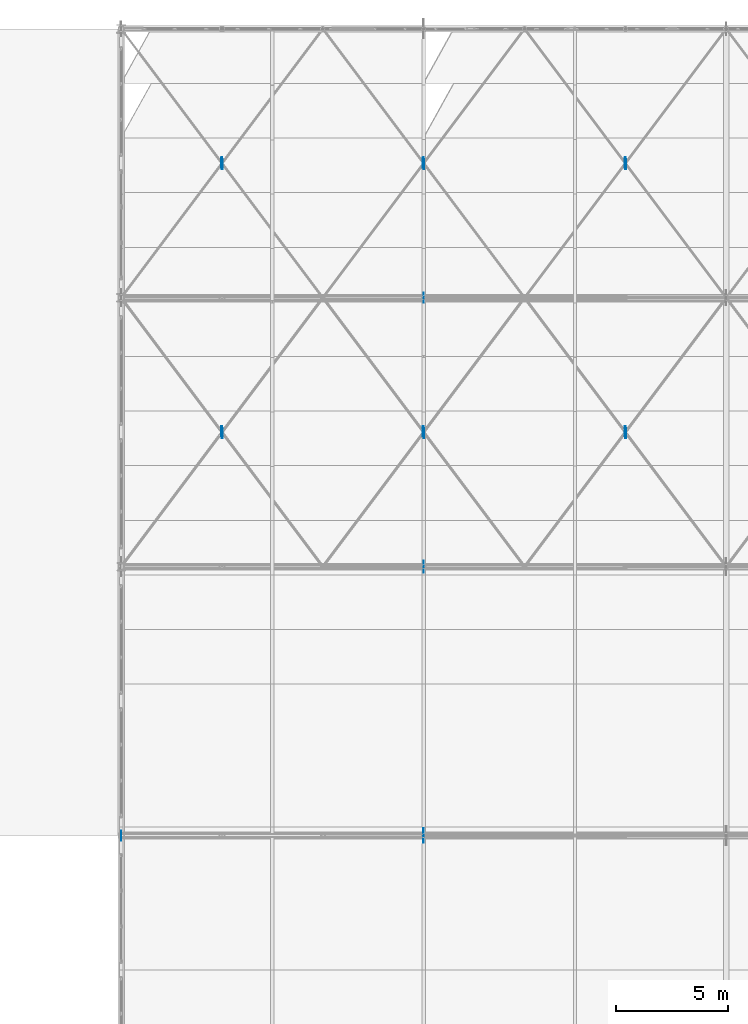
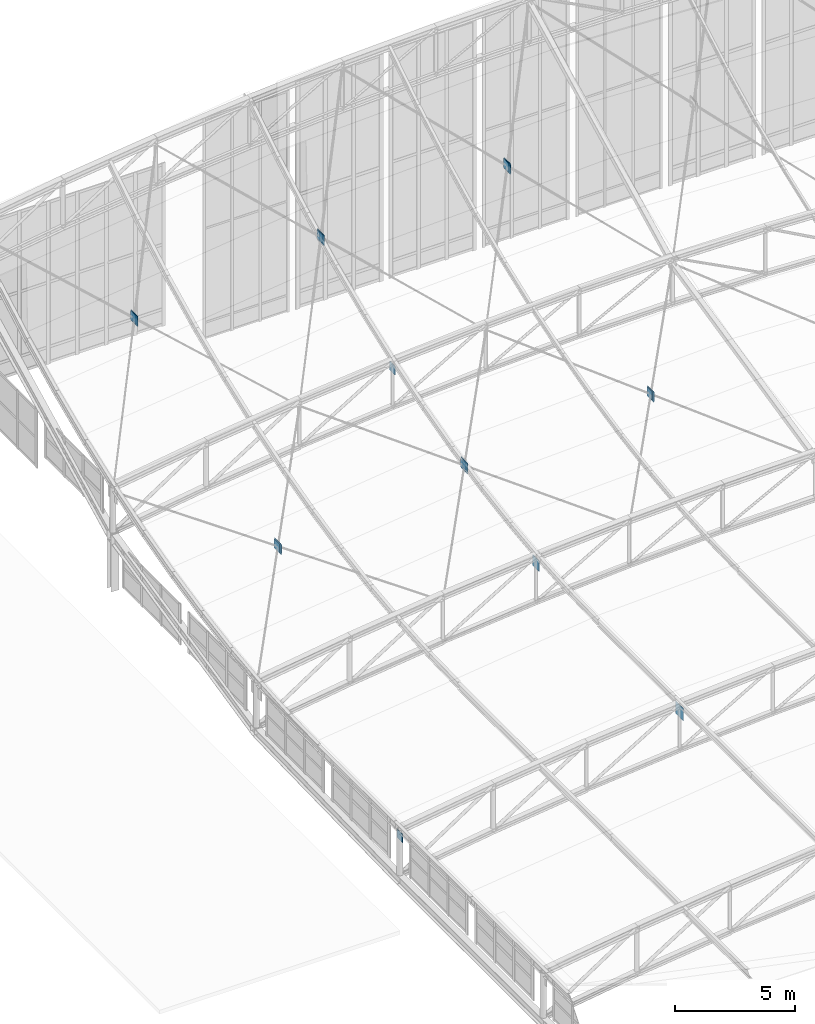
# One storey, part 247 of 262: 22 plates.
"""IFC4 building model written with IfcOpenShell, lengths in metres."""

from ifc_helpers import new_model, si_unit, derived_unit, direction, frame, origin, origin_2d, place, context, subcontext, project, spatial, rectangle, extrude, material, layer, layer_set, type_object, element, save


model = new_model("IFC4")

# Units and contexts
model_context = context("Model", 3, precision=1e-05, world=origin(), true_north=direction((0.0, 1.0)))
body_context = subcontext(model_context, "Body", "Model", "MODEL_VIEW")
ifc_project = project(units=[si_unit("LENGTHUNIT", "METRE"), si_unit("AREAUNIT", "SQUARE_METRE"), si_unit("VOLUMEUNIT", "CUBIC_METRE"), si_unit("PLANEANGLEUNIT", "RADIAN"), si_unit("MASSUNIT", "GRAM", prefix="KILO"), derived_unit("THERMALTRANSMITTANCEUNIT", [(si_unit("POWERUNIT", "WATT"), 1), (si_unit("LENGTHUNIT", "METRE"), -2), (si_unit("THERMODYNAMICTEMPERATUREUNIT", "KELVIN"), -1)])], contexts=[model_context])

# Site, building, storey
site_placement = place(None, origin())
site = spatial("IfcSite", under=ifc_project, at=site_placement, CompositionType="ELEMENT")
building_placement = place(site_placement, origin())
building = spatial("IfcBuilding", under=site, at=building_placement, Name="Almenara Railside Exhibition Hall", CompositionType="ELEMENT")
storey_placement = place(building_placement, frame((0.0, 0.0, 21.699951171875)))
storey = spatial("IfcBuildingStorey", under=building, at=storey_placement, Name="RF", CompositionType="ELEMENT", Elevation=21.699951171875)

# Plates
ifc_material = material(Name="Structural steel S355JR", Category="steel")
ifc_layer_1 = layer(ifc_material, 0.011962890625, Name="Structural steel S355JR")
ifc_layer_set_1 = layer_set([ifc_layer_1], Name="Structural steel S355JR")
plate_type_1 = type_object("IfcPlateType", Name="Truss Node Gusset Plate 12mm S355JR", PredefinedType="USERDEFINED", material=ifc_layer_set_1)
for number, where, z_axis, x_axis, name in (
    (1, (12.0, 96.0, -0.6748046875), (0.0, 0.0, 1.0), (0.0, 1.0, 0.0), "PLT-GUS-0021"),
    (2, (25.5, 120.0, 3.916015625), (0.0, 0.0, 1.0), (0.0, 1.0, 0.0), "PLT-GUS-0032"),
    (3, (16.5302734375, 113.95947265625, 1.6044921875), (0.0, 0.0, 1.0), (0.0, 1.0, 0.0), "PLT-GUS-0078"),
    (4, (16.4697265625, 114.04052734375, 1.6142578125), (0.0, 0.0, 1.0), (0.0, 1.0, 0.0), "PLT-GUS-0079"),
    (5, (25.5302734375, 113.959716796875, 2.58056640625), (0.0, 0.0, 1.0), (0.0, 1.0, 0.0), "PLT-GUS-0081"),
    (6, (25.4697265625, 114.040283203125, 2.59326171875), (0.0, 0.0, 1.0), (0.0, 1.0, 0.0), "PLT-GUS-0082"),
    (7, (34.530029296875, 113.9599609375, 3.06787109375), (0.0, 0.0, 1.0), (0.0, 1.0, 0.0), "PLT-GUS-0084"),
    (8, (34.469970703125, 114.0400390625, 3.083984375), (0.0, 0.0, 1.0), (0.0, 1.0, 0.0), "PLT-GUS-0085"),
    (9, (16.525390625, 125.96630859375, 5.96337890625), (0.0, 0.0, 1.0), (0.0, 1.0, 0.0), "PLT-GUS-0096"),
    (10, (16.474609375, 126.03369140625, 5.990234375), (0.0, 0.0, 1.0), (0.0, 1.0, 0.0), "PLT-GUS-0097"),
    (11, (25.525146484375, 125.966552734375, 6.939453125), (0.0, 0.0, 1.0), (0.0, 1.0, 0.0), "PLT-GUS-0099"),
    (12, (25.474853515625, 126.033447265625, 6.96923828125), (0.0, 0.0, 1.0), (0.0, 1.0, 0.0), "PLT-GUS-0100"),
    (13, (34.52490234375, 125.966796875, 7.42724609375), (0.0, 0.0, 1.0), (0.0, 1.0, 0.0), "PLT-GUS-0102"),
    (14, (34.47509765625, 126.033203125, 7.45947265625), (0.0, 0.0, 1.0), (0.0, 1.0, 0.0), "PLT-GUS-0103"),
):
    element("IfcPlate", number, at=place(storey_placement, frame(where, z_axis=z_axis, x_axis=x_axis)), inside=storey, type_object=plate_type_1, Name=name, ObjectType="GUSSET_PLATE", PredefinedType="USERDEFINED", context=body_context, shape_type="SweptSolid", body=[
        extrude(rectangle(XDim=0.449951171875, YDim=0.011962890625, at=origin_2d()), origin(), (0.0, 0.0, 1.0), 0.449951171875),
    ])
ifc_layer_2 = layer(ifc_material, 0.01611328125, Name="Structural steel S355JR")
ifc_layer_set_2 = layer_set([ifc_layer_2], Name="Structural steel S355JR")
plate_type_2 = type_object("IfcPlateType", Name="Truss Node Gusset Plate 16mm S355JR", PredefinedType="USERDEFINED", material=ifc_layer_set_2)
for number, where, z_axis, x_axis, name in (
    (15, (25.5, 108.0, 1.18994140625), (0.0, 0.0, 1.0), (0.0, 1.0, 0.0), "PLT-GUS-0027"),
    (16, (16.5, 114.0, 1.55908203125), (0.0, 0.0, 1.0), (0.0, 1.0, 0.0), "PLT-GUS-0077"),
    (17, (25.5, 114.0, 2.53662109375), (0.0, 0.0, 1.0), (0.0, 1.0, 0.0), "PLT-GUS-0080"),
    (18, (34.5, 114.0, 3.02587890625), (0.0, 0.0, 1.0), (0.0, 1.0, 0.0), "PLT-GUS-0083"),
    (19, (16.5, 126.0, 5.9267578125), (0.0, 0.0, 1.0), (0.0, 1.0, 0.0), "PLT-GUS-0095"),
    (20, (25.5, 126.0, 6.904296875), (0.0, 0.0, 1.0), (0.0, 1.0, 0.0), "PLT-GUS-0098"),
    (21, (34.5, 126.0, 7.3935546875), (0.0, 0.0, 1.0), (0.0, 1.0, 0.0), "PLT-GUS-0101"),
):
    element("IfcPlate", number, at=place(storey_placement, frame(where, z_axis=z_axis, x_axis=x_axis)), inside=storey, type_object=plate_type_2, Name=name, ObjectType="GUSSET_PLATE", PredefinedType="USERDEFINED", context=body_context, shape_type="SweptSolid", body=[
        extrude(rectangle(XDim=0.550048828125, YDim=0.01611328125, at=origin_2d()), origin(), (0.0, 0.0, 1.0), 0.550048828125),
    ])
ifc_layer_3 = layer(ifc_material, 0.02001953125, Name="Structural steel S355JR")
ifc_layer_set_3 = layer_set([ifc_layer_3], Name="Structural steel S355JR")
plate_type_3 = type_object("IfcPlateType", Name="Truss Node Gusset Plate 20mm S355JR", PredefinedType="USERDEFINED", material=ifc_layer_set_3)
plate_placement = place(storey_placement, frame((25.5, 96.0, 0.875), z_axis=(0.0, 0.0, 1.0), x_axis=(0.0, 1.0, 0.0)))
element("IfcPlate", 22, at=plate_placement, inside=storey, type_object=plate_type_3, Name="PLT-GUS-0022", ObjectType="GUSSET_PLATE", PredefinedType="USERDEFINED", context=body_context, shape_type="SweptSolid", body=[
    extrude(rectangle(XDim=0.64990234375, YDim=0.02001953125, at=origin_2d()), origin(), (0.0, 0.0, 1.0), 0.64990234375),
])

save(model, "model.ifc")
